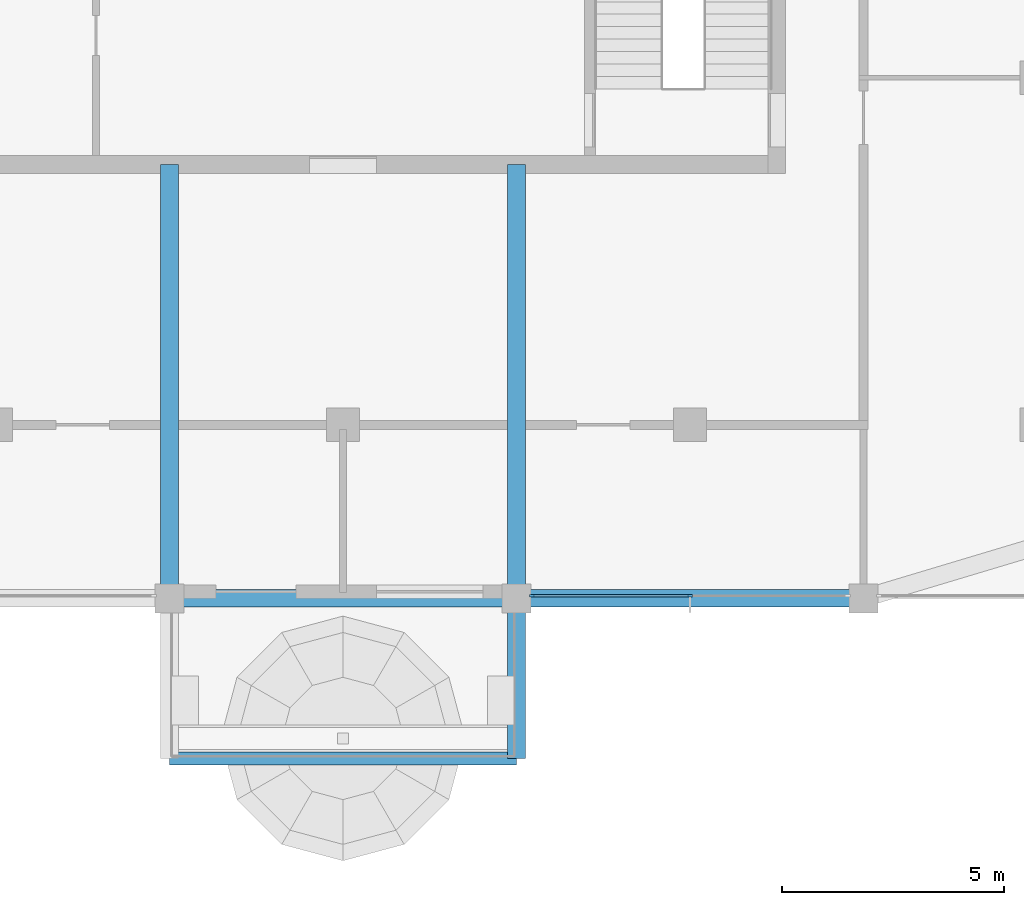
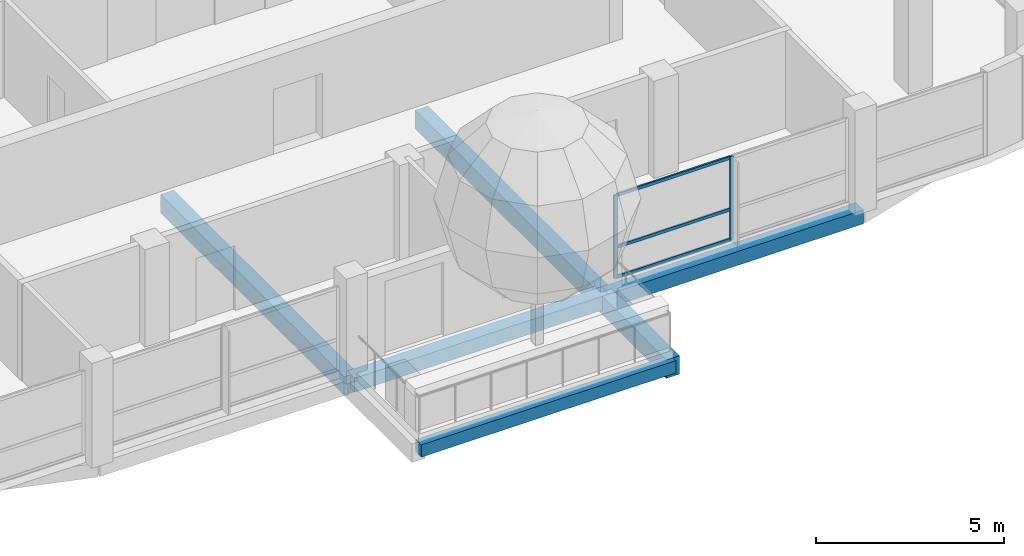
# One storey, part 3 of 19: 6 beams, 5 members, 1 element without a shape of its own.
"""IFC4 building model written with IfcOpenShell, lengths in metres."""

from ifc_helpers import new_model, si_unit, direction, frame, origin, origin_2d, place, context, subcontext, project, spatial, rectangle, extrude, material, material_profile, profile_set, type_object, element, aggregate, save


model = new_model("IFC4")

# Units and contexts
model_context = context("Model", 3, precision=1e-05, world=origin(), true_north=direction((0.0, 1.0)))
body_context = subcontext(model_context, "Body", "Model", "MODEL_VIEW")
ifc_project = project(units=[si_unit("LENGTHUNIT", "METRE"), si_unit("AREAUNIT", "SQUARE_METRE"), si_unit("VOLUMEUNIT", "CUBIC_METRE"), si_unit("PLANEANGLEUNIT", "RADIAN"), si_unit("MASSUNIT", "GRAM", prefix="KILO")], contexts=[model_context])

# Site, building, storey
site_placement = place(None, origin())
site = spatial("IfcSite", under=ifc_project, at=site_placement, CompositionType="ELEMENT")
building_placement = place(site_placement, origin())
building = spatial("IfcBuilding", under=site, at=building_placement, Name="Ludao Terraces", CompositionType="ELEMENT")
storey_placement = place(building_placement, frame((0.0, 0.0, 256.199951171875)))
storey = spatial("IfcBuildingStorey", under=building, at=storey_placement, Name="L70", CompositionType="ELEMENT", Elevation=256.199951171875)

# Curtain wall, members
ifc_material_1 = material(Name="Aluminium curtain wall with fritted glass", Category="aluminium")
curtain_wall_type = type_object("IfcCurtainWallType", Name="ENV CW3 community glazing", PredefinedType="NOTDEFINED", material=ifc_material_1)
curtain_wall_placement = place(storey_placement, origin())
curtain_wall = element("IfcCurtainWall", 1, at=curtain_wall_placement, inside=storey, type_object=curtain_wall_type, Name="Community floor glazing L70 S4", PredefinedType="NOTDEFINED")
ifc_material_2 = material(Name="Aluminium 6063-T6", Category="aluminium")
ifc_material_profile_1 = material_profile(ifc_material_2, rectangle(XDim=0.050048828125, YDim=0.1201171875, at=origin_2d()), Name="50 X 120")
ifc_profile_set_1 = profile_set([ifc_material_profile_1], Name="Aluminium 6063-T6")
member_type_1 = type_object("IfcMemberType", Name="ENV CW3 mullion 50x120", PredefinedType="MULLION", material=ifc_profile_set_1)
member_1_placement = place(storey_placement, frame((89.25, 45.56005859375, 0.0), z_axis=(0.0, 0.0, 1.0), x_axis=(0.0, 1.0, 0.0)))
member_1 = element("IfcMember", 2, at=member_1_placement, type_object=member_type_1, Name="CW3 mullion 1", PredefinedType="MULLION", context=body_context, shape_type="SweptSolid", body=[
    extrude(rectangle(XDim=0.050048828125, YDim=0.1201171875, at=origin_2d()), origin(), (0.0, 0.0, 1.0), 2.699951171875),
])
member_2_placement = place(storey_placement, frame((92.800048828125, 45.56005859375, 0.0), z_axis=(0.0, 0.0, 1.0), x_axis=(0.0, 1.0, 0.0)))
member_2 = element("IfcMember", 3, at=member_2_placement, type_object=member_type_1, Name="CW3 mullion 2", PredefinedType="MULLION", context=body_context, shape_type="SweptSolid", body=[
    extrude(rectangle(XDim=0.050048828125, YDim=0.1201171875, at=origin_2d()), origin(), (0.0, 0.0, 1.0), 2.699951171875),
])
ifc_material_profile_2 = material_profile(ifc_material_2, rectangle(XDim=0.050048828125, YDim=0.10009765625, at=origin_2d()), Name="50 X 100")
ifc_profile_set_2 = profile_set([ifc_material_profile_2], Name="Aluminium 6063-T6")
member_type_2 = type_object("IfcMemberType", Name="ENV CW3 transom 50x100", PredefinedType="USERDEFINED", material=ifc_profile_set_2)
member_3_placement = place(storey_placement, frame((89.27490234375, 45.56005859375, 0.025146484375), z_axis=(1.0, 0.0, 0.0), x_axis=(0.0, 1.0, 0.0)))
member_3 = element("IfcMember", 4, at=member_3_placement, type_object=member_type_2, Name="CW3 transom 1.1", ObjectType="TRANSOM", PredefinedType="USERDEFINED", context=body_context, shape_type="SweptSolid", body=[
    extrude(rectangle(XDim=0.050048828125, YDim=0.10009765625, at=origin_2d()), origin(), (0.0, 0.0, 1.0), 3.5),
])
member_4_placement = place(storey_placement, frame((89.27490234375, 45.56005859375, 1.0), z_axis=(1.0, 0.0, 0.0), x_axis=(0.0, 1.0, 0.0)))
member_4 = element("IfcMember", 5, at=member_4_placement, type_object=member_type_2, Name="CW3 transom 1.2", ObjectType="TRANSOM", PredefinedType="USERDEFINED", context=body_context, shape_type="SweptSolid", body=[
    extrude(rectangle(XDim=0.050048828125, YDim=0.10009765625, at=origin_2d()), origin(), (0.0, 0.0, 1.0), 3.5),
])
member_5_placement = place(storey_placement, frame((89.27490234375, 45.56005859375, 2.675048828125), z_axis=(1.0, 0.0, 0.0), x_axis=(0.0, 1.0, 0.0)))
member_5 = element("IfcMember", 6, at=member_5_placement, type_object=member_type_2, Name="CW3 transom 1.3", ObjectType="TRANSOM", PredefinedType="USERDEFINED", context=body_context, shape_type="SweptSolid", body=[
    extrude(rectangle(XDim=0.050048828125, YDim=0.10009765625, at=origin_2d()), origin(), (0.0, 0.0, 1.0), 3.5),
])
aggregate(curtain_wall, [member_1, member_2, member_3, member_4, member_5])

# Beams
ifc_material_3 = material(Name="Concrete C40", Category="concrete")
ifc_material_profile_3 = material_profile(ifc_material_3, rectangle(XDim=0.300048828125, YDim=0.39990234375, at=origin_2d()), Name="300 X 400")
ifc_profile_set_3 = profile_set([ifc_material_profile_3], Name="Concrete C40")
beam_type_1 = type_object("IfcBeamType", Name="RC beam 300x400 C40", PredefinedType="BEAM", material=ifc_profile_set_3)
beam_1_placement = place(storey_placement, frame((81.10009765625, 41.89990234375, -0.449951171875), z_axis=(1.0, 0.0, 0.0), x_axis=(0.0, 1.0, 0.0)))
element("IfcBeam", 7, at=beam_1_placement, inside=storey, type_object=beam_type_1, Name="Balcony edge beam L70 S1", PredefinedType="BEAM", context=body_context, shape_type="SweptSolid", body=[
    extrude(rectangle(XDim=0.300048828125, YDim=0.39990234375, at=origin_2d()), origin(), (0.0, 0.0, 1.0), 7.7998046875),
])
ifc_material_profile_4 = material_profile(ifc_material_3, rectangle(XDim=0.39990234375, YDim=0.449951171875, at=origin_2d()), Name="400 X 450")
ifc_profile_set_4 = profile_set([ifc_material_profile_4], Name="Concrete C40")
beam_type_2 = type_object("IfcBeamType", Name="RC beam 400x450 C40", PredefinedType="BEAM", material=ifc_profile_set_4)
beam_2_placement = place(storey_placement, frame((81.10009765625, 45.5, -0.474853515625), z_axis=(1.0, 0.0, 0.0), x_axis=(0.0, 1.0, 0.0)))
element("IfcBeam", 8, at=beam_2_placement, inside=storey, type_object=beam_type_2, Name="Spandrel beam L70 S3", PredefinedType="BEAM", context=body_context, shape_type="SweptSolid", body=[
    extrude(rectangle(XDim=0.39990234375, YDim=0.449951171875, at=origin_2d()), origin(), (0.0, 0.0, 1.0), 7.7998046875),
])
beam_3_placement = place(storey_placement, frame((88.89990234375, 45.5, -0.474853515625), z_axis=(1.0, 0.0, 0.0), x_axis=(0.0, 1.0, 0.0)))
element("IfcBeam", 9, at=beam_3_placement, inside=storey, type_object=beam_type_2, Name="Spandrel beam L70 S4", PredefinedType="BEAM", context=body_context, shape_type="SweptSolid", body=[
    extrude(rectangle(XDim=0.39990234375, YDim=0.449951171875, at=origin_2d()), origin(), (0.0, 0.0, 1.0), 7.800048828125),
])
ifc_material_profile_5 = material_profile(ifc_material_3, rectangle(XDim=0.39990234375, YDim=0.60009765625, at=origin_2d()), Name="400 X 600")
ifc_profile_set_5 = profile_set([ifc_material_profile_5], Name="Concrete C40")
beam_type_3 = type_object("IfcBeamType", Name="RC beam 400x600 C40", PredefinedType="BEAM", material=ifc_profile_set_5)
for number, where, z_axis, x_axis, name in (
    (10, (81.10009765625, 55.25, -0.550048828125), (0.0, -1.0, 0.0), (1.0, 0.0, 0.0), "Balcony beam L70 S811"),
    (11, (88.89990234375, 55.25, -0.550048828125), (0.0, -1.0, 0.0), (1.0, 0.0, 0.0), "Balcony beam L70 S889"),
):
    element("IfcBeam", number, at=place(storey_placement, frame(where, z_axis=z_axis, x_axis=x_axis)), inside=storey, type_object=beam_type_3, Name=name, PredefinedType="BEAM", context=body_context, shape_type="SweptSolid", body=[
        extrude(rectangle(XDim=0.39990234375, YDim=0.60009765625, at=origin_2d()), origin(), (0.0, 0.0, 1.0), 9.75),
    ])
beam_4_placement = place(storey_placement, frame((88.89990234375, 45.5, -0.550048828125), z_axis=(0.0, -1.0, 0.0), x_axis=(1.0, 0.0, 0.0)))
element("IfcBeam", 12, at=beam_4_placement, inside=storey, type_object=beam_type_3, Name="Balcony beam L70 S889", PredefinedType="BEAM", context=body_context, shape_type="SweptSolid", body=[
    extrude(rectangle(XDim=0.39990234375, YDim=0.60009765625, at=origin_2d()), origin(), (0.0, 0.0, 1.0), 3.60009765625),
])

save(model, "model.ifc")
